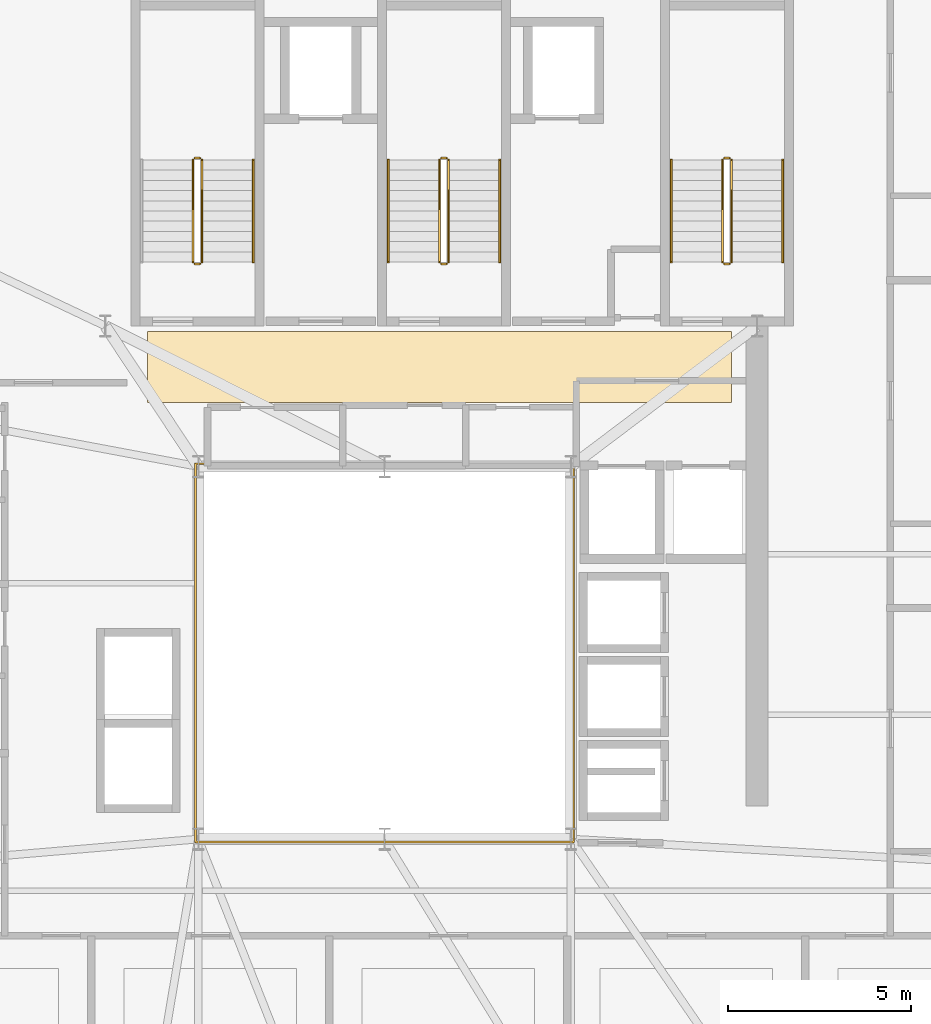
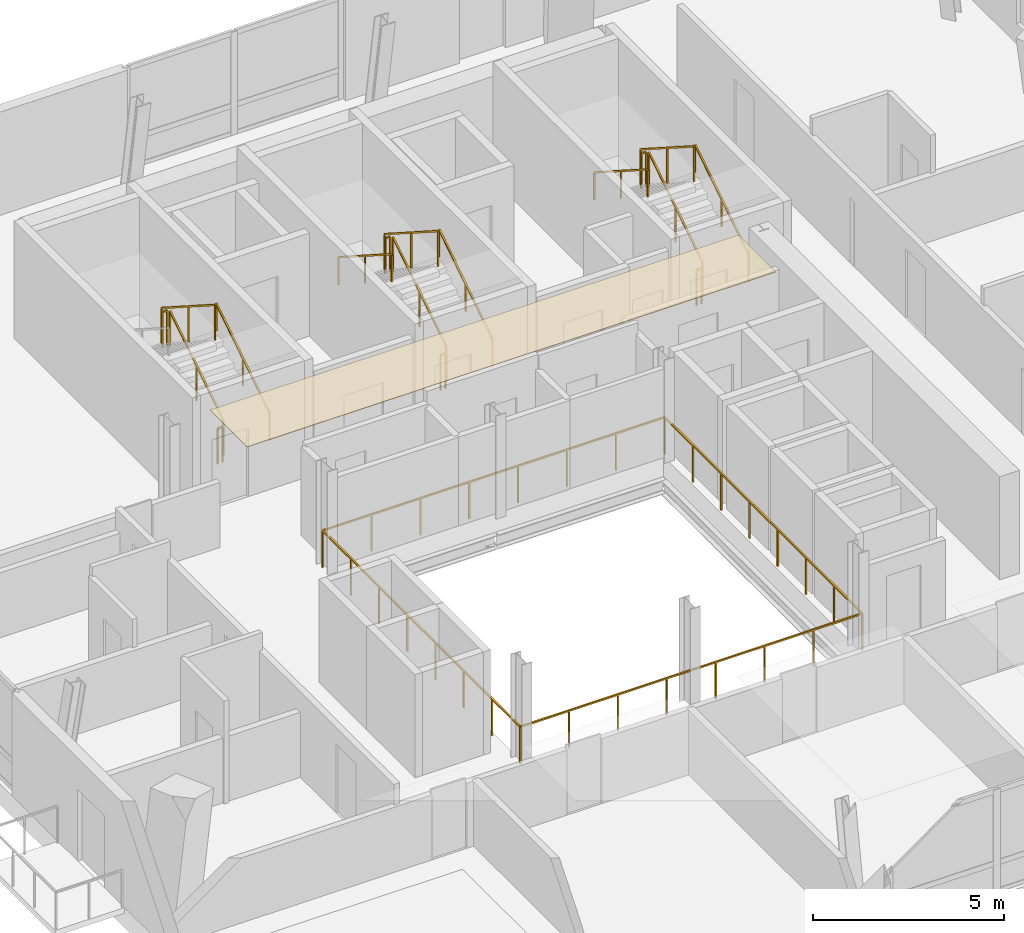
# One storey, part 12 of 13: 18 railings, 1 covering.
"""IFC4 building model written with IfcOpenShell, lengths in metres."""

from ifc_helpers import new_model, si_unit, direction, frame, origin, origin_2d, place, context, subcontext, project, spatial, polyline, rectangle, outline, extrude, source, transform, mapped, material, layer, layer_set, type_object, element, save


model = new_model("IFC4")

# Units and contexts
model_context = context("Model", 3, precision=1e-05, world=origin(), true_north=direction((0.0, 1.0)))
body_context = subcontext(model_context, "Body", "Model", "MODEL_VIEW")
ifc_project = project(units=[si_unit("LENGTHUNIT", "METRE"), si_unit("AREAUNIT", "SQUARE_METRE"), si_unit("VOLUMEUNIT", "CUBIC_METRE"), si_unit("PLANEANGLEUNIT", "RADIAN"), si_unit("MASSUNIT", "GRAM", prefix="KILO")], contexts=[model_context])

# Site, building, storey
site_placement = place(None, origin())
site = spatial("IfcSite", under=ifc_project, at=site_placement, CompositionType="ELEMENT")
building_placement = place(site_placement, origin())
building = spatial("IfcBuilding", under=site, at=building_placement, Name="Vardaveli Station Tower", CompositionType="ELEMENT")
storey_placement = place(building_placement, frame((0.0, 0.0, 278.25)))
storey = spatial("IfcBuildingStorey", under=building, at=storey_placement, Name="L71", CompositionType="ELEMENT", Elevation=278.25)

# Covering
ifc_material_1 = material(Name="Perforated acoustic mineral ceiling")
ifc_layer = layer(ifc_material_1, 0.02001953125, Name="Perforated acoustic mineral ceiling")
ifc_layer_set = layer_set([ifc_layer], Name="Perforated acoustic mineral ceiling")
covering_type = type_object("IfcCoveringType", Name="COV-CEIL-AC20", PredefinedType="CEILING", material=ifc_layer_set)
covering_placement = place(storey_placement, frame((0.0, 0.0, 3.284912109375)))
element("IfcCovering", 1, at=covering_placement, inside=storey, type_object=covering_type, Name="CEIL-L71-6", PredefinedType="CEILING", context=body_context, shape_type="SweptSolid", body=[
    extrude(outline(polyline([(29.800048828125, 28.550048828125), (45.800048828125, 28.550048828125), (45.800048828125, 30.5), (29.800048828125, 30.5), (29.800048828125, 28.550048828125)])), origin(), (0.0, 0.0, 1.0), 0.02001953125),
])

# Railings
ifc_material_2 = material(Name="Brushed AISI 316 stainless steel", Category="steel")
railing_type_1 = type_object("IfcRailingType", Name="RL-GUARD-1150", PredefinedType="GUARDRAIL", material=ifc_material_2)
shared_shape_1 = source(origin(), body_context, "Body", "SweptSolid", [
    extrude(rectangle(XDim=0.048095703125, YDim=0.048095703125, at=origin_2d()), frame((0.0, 0.0, 1.1259765625), z_axis=(-1.0, 0.0, 0.0), x_axis=(0.0, -1.0, 0.0)), (0.0, 0.0, 1.0), 0.14990234375),
    extrude(rectangle(XDim=0.0419921875, YDim=0.0419921875, at=origin_2d()), origin(), (0.0, 0.0, 1.0), 1.101806640625),
    extrude(rectangle(XDim=0.0419921875, YDim=0.0419921875, at=origin_2d()), frame((-0.14990234375, 0.0, 0.0)), (0.0, 0.0, 1.0), 1.101806640625),
])
for number, where, name in (
    (2, (31.25, 35.25, 1.97509765625), "L71 ST-1 stair guard 2"),
    (3, (31.25, 32.35009765625, 0.0), "L71 ST-1 stair guard 4"),
    (4, (38.0, 35.25, 1.97509765625), "L71 ST-2 stair guard 2"),
    (5, (38.0, 32.35009765625, 0.0), "L71 ST-2 stair guard 4"),
    (6, (45.75, 35.25, 1.97509765625), "L71 ST-3 stair guard 2"),
    (7, (45.75, 32.35009765625, 0.0), "L71 ST-3 stair guard 4"),
):
    element("IfcRailing", number, at=place(storey_placement, frame(where)), inside=storey, type_object=railing_type_1, Name=name, PredefinedType="GUARDRAIL", context=body_context, shape_type="MappedRepresentation", body=[
        mapped(shared_shape_1, transform((0.0, 0.0, 0.0), scale=1.0)),
    ])
shared_shape_2 = source(origin(), body_context, "Body", "SweptSolid", [
    extrude(rectangle(XDim=0.048095703125, YDim=0.048095703125, at=origin_2d()), frame((0.0, 0.0, 1.1259765625), z_axis=(0.0, -0.841809871826, 0.539774156196), x_axis=(1.0, 0.0, 0.0)), (0.0, 0.0, 1.0), 3.326171875),
    extrude(rectangle(XDim=0.0419921875, YDim=0.0419921875, at=origin_2d()), origin(), (0.0, 0.0, 1.0), 1.101806640625),
    extrude(rectangle(XDim=0.0419921875, YDim=0.0419921875, at=origin_2d()), frame((0.0, -1.39990234375, 0.897705078125)), (0.0, 0.0, 1.0), 1.101806640625),
    extrude(rectangle(XDim=0.0419921875, YDim=0.0419921875, at=origin_2d()), frame((0.0, -2.800048828125, 1.79541015625)), (0.0, 0.0, 1.0), 1.101806640625),
])
for number, where, name in (
    (8, (31.050048828125, 35.199951171875, 2.154541015625), "L71 ST-1 stair guard 3"),
    (9, (37.800048828125, 35.199951171875, 2.154541015625), "L71 ST-2 stair guard 3"),
    (10, (45.550048828125, 35.199951171875, 2.154541015625), "L71 ST-3 stair guard 3"),
):
    element("IfcRailing", number, at=place(storey_placement, frame(where)), inside=storey, type_object=railing_type_1, Name=name, PredefinedType="GUARDRAIL", context=body_context, shape_type="MappedRepresentation", body=[
        mapped(shared_shape_2, transform((0.0, 0.0, 0.0), scale=1.0)),
    ])
railing_type_2 = type_object("IfcRailingType", Name="RL-HAND-900", PredefinedType="HANDRAIL", material=ifc_material_2)
shared_shape_3 = source(origin(), body_context, "Body", "SweptSolid", [
    extrude(rectangle(XDim=0.048095703125, YDim=0.048095703125, at=origin_2d()), frame((0.0, 0.0, 0.8759765625), z_axis=(0.0, -0.841809871826, 0.539774156196), x_axis=(1.0, 0.0, 0.0)), (0.0, 0.0, 1.0), 3.326171875),
    extrude(rectangle(XDim=0.0419921875, YDim=0.0419921875, at=origin_2d()), origin(), (0.0, 0.0, 1.0), 0.851806640625),
    extrude(rectangle(XDim=0.0419921875, YDim=0.0419921875, at=origin_2d()), frame((0.0, -1.39990234375, 0.897705078125)), (0.0, 0.0, 1.0), 0.851806640625),
    extrude(rectangle(XDim=0.0419921875, YDim=0.0419921875, at=origin_2d()), frame((0.0, -2.800048828125, 1.79541015625)), (0.0, 0.0, 1.0), 0.851806640625),
])
for number, where, name in (
    (11, (36.39990234375, 35.199951171875, 2.154541015625), "L71 ST-2 stair handrail 2"),
    (12, (44.14990234375, 35.199951171875, 2.154541015625), "L71 ST-3 stair handrail 2"),
):
    element("IfcRailing", number, at=place(storey_placement, frame(where)), inside=storey, type_object=railing_type_2, Name=name, PredefinedType="HANDRAIL", context=body_context, shape_type="MappedRepresentation", body=[
        mapped(shared_shape_3, transform((0.0, 0.0, 0.0), scale=1.0)),
    ])
shared_shape_4 = source(origin(), body_context, "Body", "SweptSolid", [
    extrude(rectangle(XDim=0.048095703125, YDim=0.048095703125, at=origin_2d()), frame((0.0, 0.0, 1.1259765625), z_axis=(0.0, 0.841776520102, 0.539826166654), x_axis=(-1.0, 0.0, 0.0)), (0.0, 0.0, 1.0), 3.326416015625),
    extrude(rectangle(XDim=0.0419921875, YDim=0.0419921875, at=origin_2d()), origin(), (0.0, 0.0, 1.0), 1.101806640625),
    extrude(rectangle(XDim=0.0419921875, YDim=0.0419921875, at=origin_2d()), frame((0.0, 1.39990234375, 0.89794921875)), (0.0, 0.0, 1.0), 1.101806640625),
    extrude(rectangle(XDim=0.0419921875, YDim=0.0419921875, at=origin_2d()), frame((0.0, 2.800048828125, 1.795654296875)), (0.0, 0.0, 1.0), 1.101806640625),
])
for number, where, name in (
    (13, (31.300048828125, 32.39990234375, 0.179443359375), "L71 ST-1 stair guard 1"),
    (14, (38.050048828125, 32.39990234375, 0.179443359375), "L71 ST-2 stair guard 1"),
    (15, (45.800048828125, 32.39990234375, 0.179443359375), "L71 ST-3 stair guard 1"),
):
    element("IfcRailing", number, at=place(storey_placement, frame(where)), inside=storey, type_object=railing_type_1, Name=name, PredefinedType="GUARDRAIL", context=body_context, shape_type="MappedRepresentation", body=[
        mapped(shared_shape_4, transform((0.0, 0.0, 0.0), scale=1.0)),
    ])
shared_shape_5 = source(origin(), body_context, "Body", "SweptSolid", [
    extrude(rectangle(XDim=0.048095703125, YDim=0.048095703125, at=origin_2d()), frame((0.0, 0.0, 0.8759765625), z_axis=(0.0, 0.841776520102, 0.539826166654), x_axis=(-1.0, 0.0, 0.0)), (0.0, 0.0, 1.0), 3.326416015625),
    extrude(rectangle(XDim=0.0419921875, YDim=0.0419921875, at=origin_2d()), origin(), (0.0, 0.0, 1.0), 0.851806640625),
    extrude(rectangle(XDim=0.0419921875, YDim=0.0419921875, at=origin_2d()), frame((0.0, 1.39990234375, 0.89794921875)), (0.0, 0.0, 1.0), 0.851806640625),
    extrude(rectangle(XDim=0.0419921875, YDim=0.0419921875, at=origin_2d()), frame((0.0, 2.800048828125, 1.795654296875)), (0.0, 0.0, 1.0), 0.851806640625),
])
for number, where, name in (
    (16, (32.699951171875, 32.39990234375, 0.179443359375), "L71 ST-1 stair handrail 1"),
    (17, (39.449951171875, 32.39990234375, 0.179443359375), "L71 ST-2 stair handrail 1"),
    (18, (47.199951171875, 32.39990234375, 0.179443359375), "L71 ST-3 stair handrail 1"),
):
    element("IfcRailing", number, at=place(storey_placement, frame(where)), inside=storey, type_object=railing_type_2, Name=name, PredefinedType="HANDRAIL", context=body_context, shape_type="MappedRepresentation", body=[
        mapped(shared_shape_5, transform((0.0, 0.0, 0.0), scale=1.0)),
    ])
ifc_material_3 = material(Name="Laminated glass and stainless steel balustrade", Category="steel")
railing_type_3 = type_object("IfcRailingType", Name="RL-BAL-1200", PredefinedType="BALUSTRADE", material=ifc_material_3)
shared_shape_6 = source(origin(), body_context, "Body", "SweptSolid", [
    extrude(rectangle(XDim=0.048095703125, YDim=0.048095703125, at=origin_2d()), frame((0.0, 0.0, 1.17578125), z_axis=(1.0, 0.0, 0.0), x_axis=(0.0, 1.0, 0.0)), (0.0, 0.0, 1.0), 10.35986328125),
    extrude(rectangle(XDim=0.048095703125, YDim=0.048095703125, at=origin_2d()), frame((10.35986328125, 0.0, 1.17578125), z_axis=(0.0, 1.0, 0.0), x_axis=(-1.0, 0.0, 0.0)), (0.0, 0.0, 1.0), 10.35986328125),
    extrude(rectangle(XDim=0.048095703125, YDim=0.048095703125, at=origin_2d()), frame((10.35986328125, 10.35986328125, 1.17578125), z_axis=(-1.0, 0.0, 0.0), x_axis=(0.0, -1.0, 0.0)), (0.0, 0.0, 1.0), 10.35986328125),
    extrude(rectangle(XDim=0.048095703125, YDim=0.048095703125, at=origin_2d()), frame((0.0, 10.35986328125, 1.17578125), z_axis=(0.0, -1.0, 0.0), x_axis=(1.0, 0.0, 0.0)), (0.0, 0.0, 1.0), 10.35986328125),
    extrude(rectangle(XDim=0.0419921875, YDim=0.0419921875, at=origin_2d()), origin(), (0.0, 0.0, 1.0), 1.15185546875),
    extrude(rectangle(XDim=0.0419921875, YDim=0.0419921875, at=origin_2d()), frame((1.47998046875, 0.0, 0.0)), (0.0, 0.0, 1.0), 1.15185546875),
    extrude(rectangle(XDim=0.0419921875, YDim=0.0419921875, at=origin_2d()), frame((2.9599609375, 0.0, 0.0)), (0.0, 0.0, 1.0), 1.15185546875),
    extrude(rectangle(XDim=0.0419921875, YDim=0.0419921875, at=origin_2d()), frame((4.43994140625, 0.0, 0.0)), (0.0, 0.0, 1.0), 1.15185546875),
    extrude(rectangle(XDim=0.0419921875, YDim=0.0419921875, at=origin_2d()), frame((5.919921875, 0.0, 0.0)), (0.0, 0.0, 1.0), 1.15185546875),
    extrude(rectangle(XDim=0.0419921875, YDim=0.0419921875, at=origin_2d()), frame((7.39990234375, 0.0, 0.0)), (0.0, 0.0, 1.0), 1.15185546875),
    extrude(rectangle(XDim=0.0419921875, YDim=0.0419921875, at=origin_2d()), frame((8.8798828125, 0.0, 0.0)), (0.0, 0.0, 1.0), 1.15185546875),
    extrude(rectangle(XDim=0.0419921875, YDim=0.0419921875, at=origin_2d()), frame((10.35986328125, 0.0, 0.0)), (0.0, 0.0, 1.0), 1.15185546875),
    extrude(rectangle(XDim=0.0419921875, YDim=0.0419921875, at=origin_2d()), frame((10.35986328125, 1.47998046875, 0.0)), (0.0, 0.0, 1.0), 1.15185546875),
    extrude(rectangle(XDim=0.0419921875, YDim=0.0419921875, at=origin_2d()), frame((10.35986328125, 2.9599609375, 0.0)), (0.0, 0.0, 1.0), 1.15185546875),
    extrude(rectangle(XDim=0.0419921875, YDim=0.0419921875, at=origin_2d()), frame((10.35986328125, 4.43994140625, 0.0)), (0.0, 0.0, 1.0), 1.15185546875),
    extrude(rectangle(XDim=0.0419921875, YDim=0.0419921875, at=origin_2d()), frame((10.35986328125, 5.919921875, 0.0)), (0.0, 0.0, 1.0), 1.15185546875),
    extrude(rectangle(XDim=0.0419921875, YDim=0.0419921875, at=origin_2d()), frame((10.35986328125, 7.39990234375, 0.0)), (0.0, 0.0, 1.0), 1.15185546875),
    extrude(rectangle(XDim=0.0419921875, YDim=0.0419921875, at=origin_2d()), frame((10.35986328125, 8.8798828125, 0.0)), (0.0, 0.0, 1.0), 1.15185546875),
    extrude(rectangle(XDim=0.0419921875, YDim=0.0419921875, at=origin_2d()), frame((10.35986328125, 10.35986328125, 0.0)), (0.0, 0.0, 1.0), 1.15185546875),
    extrude(rectangle(XDim=0.0419921875, YDim=0.0419921875, at=origin_2d()), frame((8.8798828125, 10.35986328125, 0.0)), (0.0, 0.0, 1.0), 1.15185546875),
    extrude(rectangle(XDim=0.0419921875, YDim=0.0419921875, at=origin_2d()), frame((7.39990234375, 10.35986328125, 0.0)), (0.0, 0.0, 1.0), 1.15185546875),
    extrude(rectangle(XDim=0.0419921875, YDim=0.0419921875, at=origin_2d()), frame((5.919921875, 10.35986328125, 0.0)), (0.0, 0.0, 1.0), 1.15185546875),
    extrude(rectangle(XDim=0.0419921875, YDim=0.0419921875, at=origin_2d()), frame((4.43994140625, 10.35986328125, 0.0)), (0.0, 0.0, 1.0), 1.15185546875),
    extrude(rectangle(XDim=0.0419921875, YDim=0.0419921875, at=origin_2d()), frame((2.9599609375, 10.35986328125, 0.0)), (0.0, 0.0, 1.0), 1.15185546875),
    extrude(rectangle(XDim=0.0419921875, YDim=0.0419921875, at=origin_2d()), frame((1.47998046875, 10.35986328125, 0.0)), (0.0, 0.0, 1.0), 1.15185546875),
    extrude(rectangle(XDim=0.0419921875, YDim=0.0419921875, at=origin_2d()), frame((0.0, 10.35986328125, 0.0)), (0.0, 0.0, 1.0), 1.15185546875),
    extrude(rectangle(XDim=0.0419921875, YDim=0.0419921875, at=origin_2d()), frame((0.0, 8.8798828125, 0.0)), (0.0, 0.0, 1.0), 1.15185546875),
    extrude(rectangle(XDim=0.0419921875, YDim=0.0419921875, at=origin_2d()), frame((0.0, 7.39990234375, 0.0)), (0.0, 0.0, 1.0), 1.15185546875),
    extrude(rectangle(XDim=0.0419921875, YDim=0.0419921875, at=origin_2d()), frame((0.0, 5.919921875, 0.0)), (0.0, 0.0, 1.0), 1.15185546875),
    extrude(rectangle(XDim=0.0419921875, YDim=0.0419921875, at=origin_2d()), frame((0.0, 4.43994140625, 0.0)), (0.0, 0.0, 1.0), 1.15185546875),
    extrude(rectangle(XDim=0.0419921875, YDim=0.0419921875, at=origin_2d()), frame((0.0, 2.9599609375, 0.0)), (0.0, 0.0, 1.0), 1.15185546875),
    extrude(rectangle(XDim=0.0419921875, YDim=0.0419921875, at=origin_2d()), frame((0.0, 1.47998046875, 0.0)), (0.0, 0.0, 1.0), 1.15185546875),
])
railing_placement = place(storey_placement, frame((31.1201171875, 16.52001953125, 0.0)))
element("IfcRailing", 19, at=railing_placement, inside=storey, type_object=railing_type_3, Name="RL-ATR-L71", PredefinedType="BALUSTRADE", context=body_context, shape_type="MappedRepresentation", body=[
    mapped(shared_shape_6, transform((0.0, 0.0, 0.0), scale=1.0)),
])

save(model, "model.ifc")
